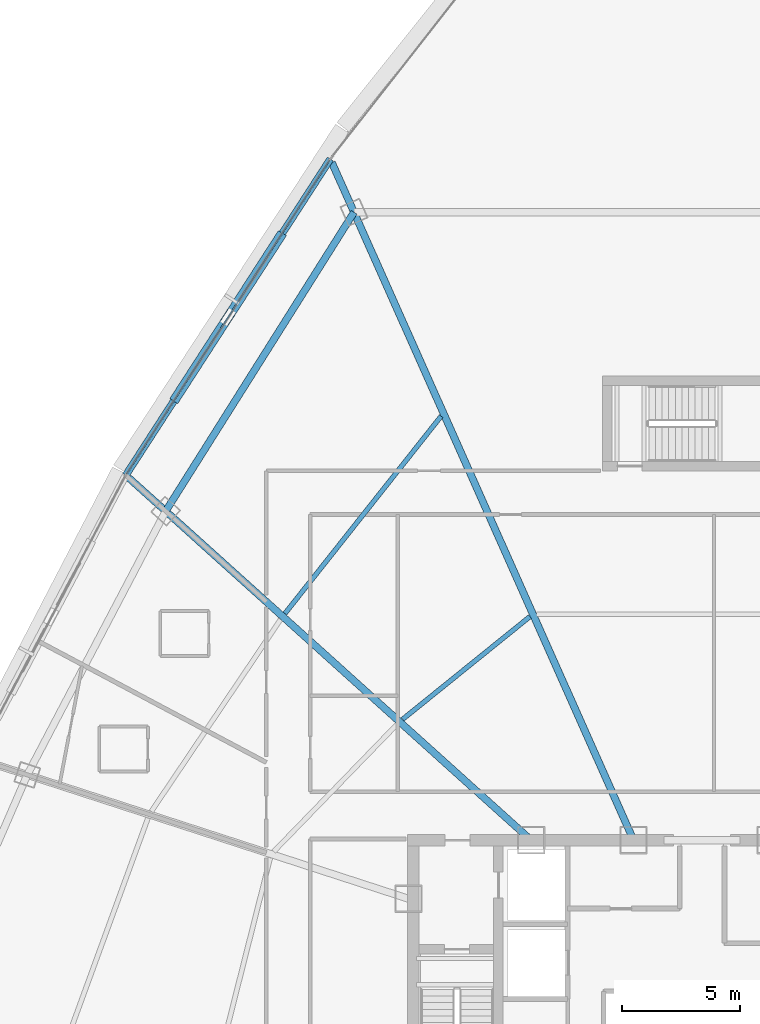
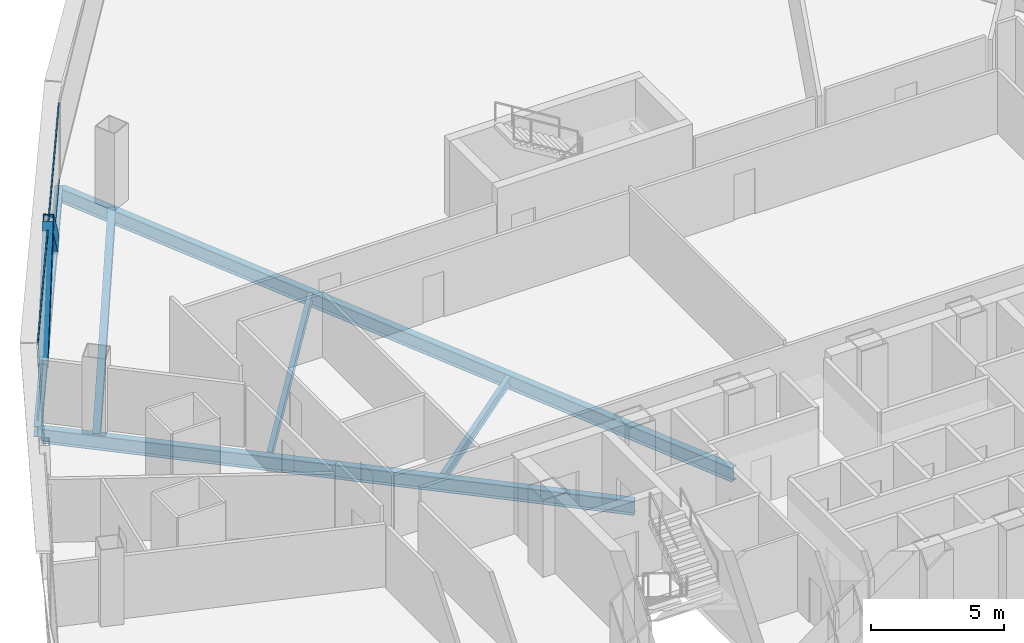
# One storey, part 17 of 40: 6 beams, 4 members, 1 element without a shape of its own.
"""IFC4 building model written with IfcOpenShell, lengths in metres."""

from ifc_helpers import new_model, si_unit, direction, frame, origin, origin_2d, place, context, subcontext, project, spatial, hollow_rectangle, i_section, extrude, source, transform, mapped, material, layer, layer_set, material_profile, profile_set, type_object, element, aggregate, save


model = new_model("IFC4")

# Units and contexts
model_context = context("Model", 3, precision=1e-05, world=origin(), true_north=direction((0.0, 1.0)))
body_context = subcontext(model_context, "Body", "Model", "MODEL_VIEW")
ifc_project = project(units=[si_unit("LENGTHUNIT", "METRE"), si_unit("AREAUNIT", "SQUARE_METRE"), si_unit("VOLUMEUNIT", "CUBIC_METRE"), si_unit("PLANEANGLEUNIT", "RADIAN"), si_unit("MASSUNIT", "GRAM", prefix="KILO"), si_unit("THERMODYNAMICTEMPERATUREUNIT", "KELVIN"), si_unit("POWERUNIT", "WATT")], contexts=[model_context])

# Site, building, storey
site_placement = place(None, origin())
site = spatial("IfcSite", under=ifc_project, at=site_placement, CompositionType="ELEMENT")
building_placement = place(site_placement, origin())
building = spatial("IfcBuilding", under=site, at=building_placement, Name="Yunzhuo Pagoda Commons", CompositionType="ELEMENT")
storey_placement = place(building_placement, frame((0.0, 0.0, 180.9599609375)))
storey = spatial("IfcBuildingStorey", under=building, at=storey_placement, Name="L45", CompositionType="ELEMENT", Elevation=180.9599609375)

# Beams
ifc_material_1 = material(Name="Structural steel Q355B", Category="steel")
ifc_material_profile_1 = material_profile(ifc_material_1, i_section(OverallWidth=0.300048828125, OverallDepth=0.488037109375, WebThickness=0.010986328125, FlangeThickness=0.01806640625, at=origin_2d()), Name="Structural steel Q355B")
ifc_profile_set_1 = profile_set([ifc_material_profile_1], Name="Structural steel Q355B")
beam_type_1 = type_object("IfcBeamType", Name="B-SP1 Beam HM 488x300x11x18", PredefinedType="BEAM", material=ifc_profile_set_1)
shared_shape_1 = source(origin(), body_context, "Body", "SweptSolid", [
    extrude(i_section(OverallWidth=0.300048828125, OverallDepth=0.488037109375, WebThickness=0.010986328125, FlangeThickness=0.01806640625, at=origin_2d()), origin(), (0.0, 0.0, 1.0), 15.899169921875),
])
beam_1_placement = place(storey_placement, frame((32.300537109375, 68.961181640625, -0.50390625), z_axis=(-0.543169779139, -0.8396228862, 0.0), x_axis=(0.8396228862, -0.543169779139, 0.0)))
element("IfcBeam", 1, at=beam_1_placement, inside=storey, type_object=beam_type_1, Name="L45 facade edge spandrel beam F3.1", PredefinedType="BEAM", context=body_context, shape_type="MappedRepresentation", body=[
    mapped(shared_shape_1, transform((0.0, 0.0, 0.0), scale=1.0)),
])
ifc_material_profile_2 = material_profile(ifc_material_1, i_section(OverallWidth=0.300048828125, OverallDepth=0.64990234375, WebThickness=0.012939453125, FlangeThickness=0.02197265625, at=origin_2d()), Name="Structural steel Q355B")
ifc_profile_set_2 = profile_set([ifc_material_profile_2], Name="Structural steel Q355B")
beam_type_2 = type_object("IfcBeamType", Name="B-RG2 Beam HN 650x300x13x22", PredefinedType="BEAM", material=ifc_profile_set_2)
shared_shape_2 = source(origin(), body_context, "Body", "SweptSolid", [
    extrude(i_section(OverallWidth=0.300048828125, OverallDepth=0.64990234375, WebThickness=0.012939453125, FlangeThickness=0.02197265625, at=origin_2d()), origin(), (0.0, 0.0, 1.0), 14.916015625),
])
beam_2_placement = place(storey_placement, frame((33.301025390625, 66.714599609375, -0.5849609375), z_axis=(-0.533092374013, -0.846057043449, 0.0), x_axis=(0.846057043449, -0.533092374013, 0.0)))
element("IfcBeam", 2, at=beam_2_placement, inside=storey, type_object=beam_type_2, Name="L45 column-ring beam 9", PredefinedType="BEAM", context=body_context, shape_type="MappedRepresentation", body=[
    mapped(shared_shape_2, transform((0.0, 0.0, 0.0), scale=1.0)),
])
shared_shape_3 = source(origin(), body_context, "Body", "SweptSolid", [
    extrude(i_section(OverallWidth=0.300048828125, OverallDepth=0.64990234375, WebThickness=0.012939453125, FlangeThickness=0.02197265625, at=origin_2d()), origin(), (0.0, 0.0, 1.0), 22.87744140625),
])
beam_3_placement = place(storey_placement, frame((23.77978515625, 55.508056640625, -0.5849609375), z_axis=(0.743141834846, -0.669133927776, 0.0), x_axis=(0.669133927776, 0.743141834846, 0.0)))
element("IfcBeam", 3, at=beam_3_placement, inside=storey, type_object=beam_type_2, Name="L45 radial floor girder F3C2", PredefinedType="BEAM", context=body_context, shape_type="MappedRepresentation", body=[
    mapped(shared_shape_3, transform((0.0, 0.0, 0.0), scale=1.0)),
])
shared_shape_4 = source(origin(), body_context, "Body", "SweptSolid", [
    extrude(i_section(OverallWidth=0.300048828125, OverallDepth=0.64990234375, WebThickness=0.012939453125, FlangeThickness=0.02197265625, at=origin_2d()), origin(), (0.0, 0.0, 1.0), 31.327880859375),
])
beam_4_placement = place(storey_placement, frame((32.364013671875, 68.819580078125, -0.5849609375), z_axis=(0.406727681678, -0.913549447461, 0.0), x_axis=(0.913549447461, 0.406727681678, 0.0)))
element("IfcBeam", 4, at=beam_4_placement, inside=storey, type_object=beam_type_2, Name="L45 radial floor girder F3C1", PredefinedType="BEAM", context=body_context, shape_type="MappedRepresentation", body=[
    mapped(shared_shape_4, transform((0.0, 0.0, 0.0), scale=1.0)),
])
ifc_material_profile_3 = material_profile(ifc_material_1, i_section(OverallWidth=0.199951171875, OverallDepth=0.39990234375, WebThickness=0.008056640625, FlangeThickness=0.012939453125, at=origin_2d()), Name="Structural steel Q355B")
ifc_profile_set_3 = profile_set([ifc_material_profile_3], Name="Structural steel Q355B")
beam_type_3 = type_object("IfcBeamType", Name="B-JS1 Joist HN 400x200x8x13", PredefinedType="JOIST", material=ifc_profile_set_3)
shared_shape_5 = source(origin(), body_context, "Body", "SweptSolid", [
    extrude(i_section(OverallWidth=0.199951171875, OverallDepth=0.39990234375, WebThickness=0.008056640625, FlangeThickness=0.012939453125, at=origin_2d()), origin(), (0.0, 0.0, 1.0), 6.916748046875),
])
beam_5_placement = place(storey_placement, frame((40.732421875, 49.645263671875, -0.4599609375), z_axis=(-0.778265575865, -0.627935262127, 0.0), x_axis=(0.627935262127, -0.778265575865, 0.0)))
element("IfcBeam", 5, at=beam_5_placement, inside=storey, type_object=beam_type_3, Name="L45 composite ring joist 1.9", PredefinedType="JOIST", context=body_context, shape_type="MappedRepresentation", body=[
    mapped(shared_shape_5, transform((0.0, 0.0, 0.0), scale=1.0)),
])
shared_shape_6 = source(origin(), body_context, "Body", "SweptSolid", [
    extrude(i_section(OverallWidth=0.199951171875, OverallDepth=0.39990234375, WebThickness=0.008056640625, FlangeThickness=0.012939453125, at=origin_2d()), origin(), (0.0, 0.0, 1.0), 10.625732421875),
])
beam_6_placement = place(storey_placement, frame((36.980224609375, 58.105224609375, -0.4599609375), z_axis=(-0.620589944532, -0.784135269418, 0.0), x_axis=(0.784135269418, -0.620589944532, 0.0)))
element("IfcBeam", 6, at=beam_6_placement, inside=storey, type_object=beam_type_3, Name="L45 composite ring joist 2.9", PredefinedType="JOIST", context=body_context, shape_type="MappedRepresentation", body=[
    mapped(shared_shape_6, transform((0.0, 0.0, 0.0), scale=1.0)),
])

# Members
ifc_material_profile_4 = material_profile(ifc_material_1, hollow_rectangle(XDim=0.39990234375, YDim=0.719970703125, WallThickness=0.02392578125, at=origin_2d()), Name="Structural steel Q355B")
ifc_profile_set_4 = profile_set([ifc_material_profile_4], Name="Structural steel Q355B")
member_type_1 = type_object("IfcMemberType", Name="M-DL2 Brace BOX 720x400x24", PredefinedType="BRACE", material=ifc_profile_set_4)
shared_shape_7 = source(origin(), body_context, "Body", "SweptSolid", [
    extrude(hollow_rectangle(XDim=0.39990234375, YDim=0.719970703125, WallThickness=0.02392578125, at=origin_2d()), origin(), (0.0, 0.0, 1.0), 5.499267578125),
])
member_1_placement = place(storey_placement, frame((25.823486328125, 58.94921875, -0.260009765625), z_axis=(0.392638599745, 0.606893900783, 0.691024401293), x_axis=(-0.839606407848, 0.543195250256, 0.0)))
element("IfcMember", 7, at=member_1_placement, inside=storey, type_object=member_type_1, Name="L45 facade diamond brace F3.1R", PredefinedType="BRACE", context=body_context, shape_type="MappedRepresentation", body=[
    mapped(shared_shape_7, transform((0.0, 0.0, 0.0), scale=1.0)),
])
shared_shape_8 = source(origin(), body_context, "Body", "SweptSolid", [
    extrude(hollow_rectangle(XDim=0.39990234375, YDim=0.719970703125, WallThickness=0.02392578125, at=origin_2d()), origin(), (0.0, 0.0, 1.0), 5.4990234375),
])
member_2_placement = place(storey_placement, frame((30.1416015625, 65.623779296875, -0.260009765625), z_axis=(-0.392611625569, -0.606876434458, 0.691055066379), x_axis=(0.839616297671, -0.543179963443, 0.0)))
element("IfcMember", 8, at=member_2_placement, inside=storey, type_object=member_type_1, Name="L45 facade diamond brace F3.1L", PredefinedType="BRACE", context=body_context, shape_type="MappedRepresentation", body=[
    mapped(shared_shape_8, transform((0.0, 0.0, 0.0), scale=1.0)),
])

# Curtain wall, members
ifc_material_2 = material(Name="Anodized aluminium 6063-T6", Category="aluminium")
ifc_layer = layer(ifc_material_2, 0.14990234375)
ifc_layer_set = layer_set([ifc_layer], Name="Anodized aluminium 6063-T6")
curtain_wall_type = type_object("IfcCurtainWallType", Name="CW-MID Mid-Zone Ribbon Curtain Wall", PredefinedType="NOTDEFINED", material=ifc_layer_set)
curtain_wall_placement = place(storey_placement, origin())
curtain_wall = element("IfcCurtainWall", 9, at=curtain_wall_placement, inside=storey, type_object=curtain_wall_type, Name="L45 curtain wall CW-L45-F3B2", PredefinedType="NOTDEFINED")
ifc_material_profile_5 = material_profile(ifc_material_2, hollow_rectangle(XDim=0.054931640625, YDim=0.1298828125, WallThickness=0.00341796875, at=origin_2d()), Name="Anodized aluminium 6063-T6")
ifc_profile_set_5 = profile_set([ifc_material_profile_5], Name="Anodized aluminium 6063-T6")
member_type_2 = type_object("IfcMemberType", Name="CW-MID-T Transom RHS 130x55x3.5", PredefinedType="USERDEFINED", material=ifc_profile_set_5)
shared_shape_9 = source(origin(), body_context, "Body", "SweptSolid", [
    extrude(hollow_rectangle(XDim=0.054931640625, YDim=0.1298828125, WallThickness=0.00341796875, at=origin_2d()), origin(), (0.0, 0.0, 1.0), 15.779296875),
])
member_3_placement = place(storey_placement, frame((32.26806640625, 68.910888671875, 0.027587890625), z_axis=(-0.543164669064, -0.839626191993, 0.0), x_axis=(0.839626191993, -0.543164669064, 0.0)))
member_3 = element("IfcMember", 10, at=member_3_placement, type_object=member_type_2, Name="CW transom 1.1", ObjectType="TRANSOM", PredefinedType="USERDEFINED", context=body_context, shape_type="MappedRepresentation", body=[
    mapped(shared_shape_9, transform((0.0, 0.0, 0.0), scale=1.0)),
])
member_4_placement = place(storey_placement, frame((32.26806640625, 68.910888671875, 3.512451171875), z_axis=(-0.543164669064, -0.839626191993, 0.0), x_axis=(0.839626191993, -0.543164669064, 0.0)))
member_4 = element("IfcMember", 11, at=member_4_placement, type_object=member_type_2, Name="CW transom 1.2", ObjectType="TRANSOM", PredefinedType="USERDEFINED", context=body_context, shape_type="MappedRepresentation", body=[
    mapped(shared_shape_9, transform((0.0, 0.0, 0.0), scale=1.0)),
])
aggregate(curtain_wall, [member_3, member_4])

save(model, "model.ifc")
